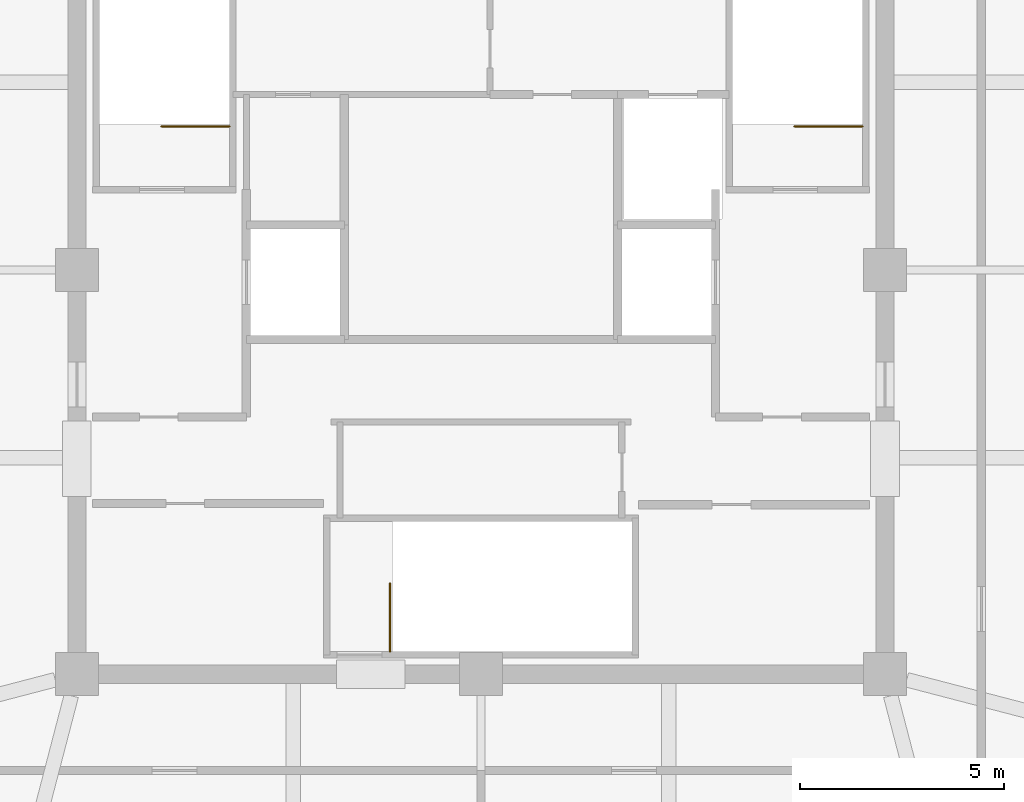
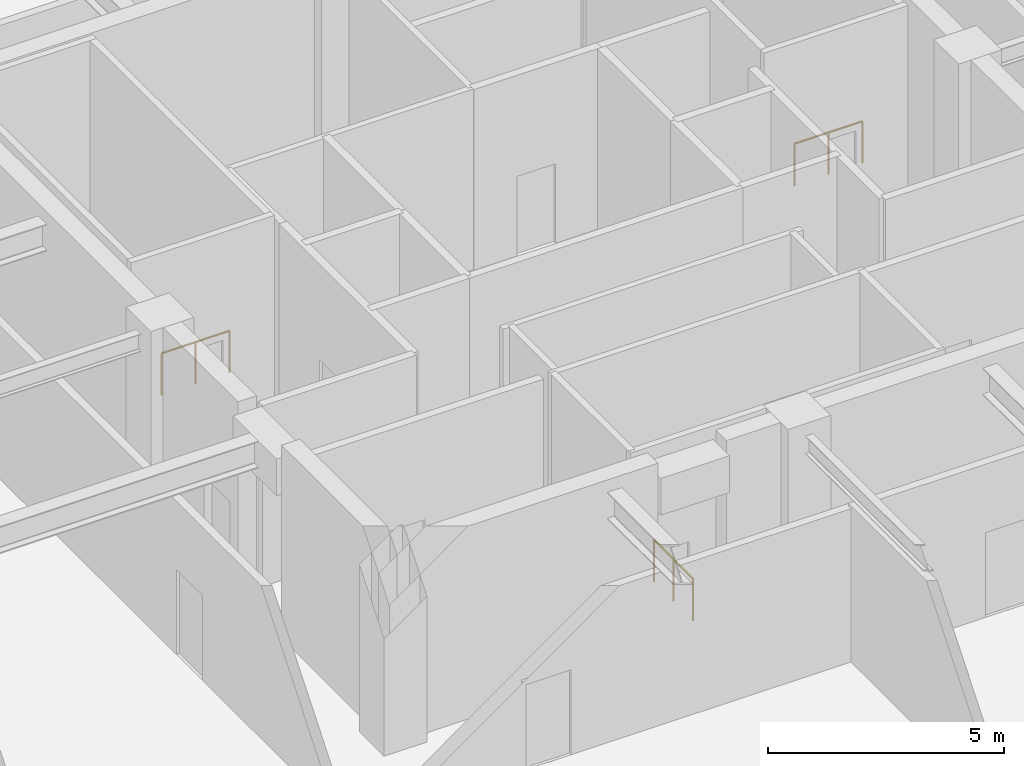
# One storey, part 4 of 4: 3 railings.
"""IFC4 building model written with IfcOpenShell, lengths in metres."""

import ifcopenshell
import ifcopenshell.guid

model = None  # the IFC model being written
_history = None  # IfcOwnerHistory: only IFC2X3 demands one
_inside = {}  # id of a spatial element -> (the spatial element, [elements in it])
_under = {}  # id of a project, library or spatial element -> (it, [spatial elements below it])
_declared = {}  # id of a project -> (the project, [libraries it declares])
_typed = {}  # id of a type object -> (the type object, [elements of that type])
_made_of = {}  # id of a material, layer set ... -> (it, [elements and type objects made of it])


def new_model(schema):
    """Start an empty IFC model of exactly this schema.

    Asked for "IFC4X3", IfcOpenShell would pick the latest addendum, in which some entities
    have other attributes; the version numbers below select the first issue.
    IFC2X3 requires an IfcOwnerHistory on every rooted entity: one is made here for all.
    """
    global model, _history
    if schema == "IFC4X3":
        model = ifcopenshell.file(schema_version=(4, 3, 0, 0))
    else:
        model = ifcopenshell.file(schema=schema)
    _inside.clear()
    _under.clear()
    _declared.clear()
    _typed.clear()
    _made_of.clear()
    _history = None
    if model.schema == "IFC2X3":
        org = make("IfcOrganization", Name="unknown")
        user = make(
            "IfcPersonAndOrganization",
            ThePerson=make("IfcPerson", FamilyName="unknown"),
            TheOrganization=org,
        )
        app = make(
            "IfcApplication",
            ApplicationDeveloper=org,
            Version="unknown",
            ApplicationFullName="unknown",
            ApplicationIdentifier="unknown",
        )
        _history = make(
            "IfcOwnerHistory",
            OwningUser=user,
            OwningApplication=app,
            ChangeAction="ADDED",
            CreationDate=0,
        )
    return model


def make(cls, **values):
    """One entity of the class cls with the attributes given. An attribute that is None is left unset."""
    return model.create_entity(
        cls, **{name: value for name, value in values.items() if value is not None}
    )


def rooted(cls, **values):
    """An entity with a GlobalId (a new one), such as an element, a storey or a relation."""
    return make(cls, GlobalId=ifcopenshell.guid.new(), OwnerHistory=_history, **values)


def si_unit(unit_type, name, prefix=None):
    """IfcSIUnit, for example si_unit("LENGTHUNIT", "METRE", prefix="MILLI")."""
    return make("IfcSIUnit", UnitType=unit_type, Prefix=prefix, Name=name)


def assignment(units):
    """IfcUnitAssignment: the units of a project."""
    return None if units is None else make("IfcUnitAssignment", Units=units)


def point(xyz):
    """IfcCartesianPoint."""
    return None if xyz is None else make("IfcCartesianPoint", Coordinates=xyz)


def direction(xyz):
    """IfcDirection."""
    return None if xyz is None else make("IfcDirection", DirectionRatios=xyz)


def frame(location, z_axis=None, x_axis=None):
    """IfcAxis2Placement3D, a coordinate frame: its origin and axes. An axis left out is left unset."""
    return make(
        "IfcAxis2Placement3D",
        Location=point(location),
        Axis=direction(z_axis),
        RefDirection=direction(x_axis),
    )


def frame_2d(location, x_axis=None):
    """IfcAxis2Placement2D, a coordinate frame in the plane: its origin and x axis."""
    return make(
        "IfcAxis2Placement2D", Location=point(location), RefDirection=direction(x_axis)
    )


def origin():
    """The frame at (0, 0, 0) with its axes left unset."""
    return frame((0.0, 0.0, 0.0))


def origin_2d():
    """The frame at (0, 0) in the plane with its x axis left unset."""
    return frame_2d((0.0, 0.0))


def place(relative_to, where):
    """IfcLocalPlacement: puts the frame where relative to a parent placement (None: the world)."""
    return make(
        "IfcLocalPlacement", PlacementRelTo=relative_to, RelativePlacement=where
    )


def context(
    kind, dimensions, precision=None, world=None, true_north=None, identifier=None
):
    """IfcGeometricRepresentationContext, for example the 3D "Model" context."""
    return make(
        "IfcGeometricRepresentationContext",
        ContextIdentifier=identifier,
        ContextType=kind,
        CoordinateSpaceDimension=dimensions,
        Precision=precision,
        WorldCoordinateSystem=world,
        TrueNorth=true_north,
    )


def subcontext(parent, identifier, kind, view, scale=None):
    """IfcGeometricRepresentationSubContext, for example "Body" below "Model"."""
    return make(
        "IfcGeometricRepresentationSubContext",
        ContextIdentifier=identifier,
        ContextType=kind,
        ParentContext=parent,
        TargetScale=scale,
        TargetView=view,
    )


def project(units=None, contexts=None):
    """IfcProject with its units and contexts."""
    return rooted(
        "IfcProject",
        Name="project",
        RepresentationContexts=contexts,
        UnitsInContext=assignment(units),
    )


def spatial(cls, under=None, at=None, **own):
    """A site, building, storey or space (cls), placed at a placement, below another one or the project."""
    s = rooted(cls, ObjectPlacement=at, **own)
    if under is not None:
        _under.setdefault(under.id(), (under, []))[1].append(s)
    return s


def profile(cls, at=None, kind="AREA", **sizes):
    """A parametric profile (cls). Its sizes go by their IFC names, for example OverallWidth=200.0."""
    return make(cls, ProfileType=kind, Position=at, **sizes)


def circle(**sizes):
    """IfcCircleProfileDef."""
    return profile("IfcCircleProfileDef", **sizes)


def extrude(swept, where, along, depth):
    """IfcExtrudedAreaSolid: the profile swept, set in the frame where, extruded along a direction by depth."""
    return make(
        "IfcExtrudedAreaSolid",
        SweptArea=swept,
        Position=where,
        ExtrudedDirection=direction(along),
        Depth=depth,
    )


def shape(context_of_items, identifier, shape_type, items):
    """IfcShapeRepresentation: the items that make up one representation, for example the "Body"."""
    return make(
        "IfcShapeRepresentation",
        ContextOfItems=context_of_items,
        RepresentationIdentifier=identifier,
        RepresentationType=shape_type,
        Items=items,
    )


def material(Name=None, Category=None):
    """IfcMaterial."""
    return make("IfcMaterial", Name=Name, Category=Category)


def made_of(thing, what):
    """Note that an element or type object is made of a material, layer set ...; save() writes the relation."""
    if what is not None:
        _made_of.setdefault(what.id(), (what, []))[1].append(thing)
    return thing


def type_object(cls, material=None, **own):
    """A type object (cls), such as IfcWallType, which elements share."""
    return made_of(rooted(cls, **own), material)


def element(
    cls,
    number,
    at=None,
    inside=None,
    cuts=None,
    type_object=None,
    material=None,
    context=None,
    identifier="Body",
    shape_type=None,
    held_by="IfcProductDefinitionShape",
    body=None,
    shapes=None,
    **own,
):
    """One element of the class cls, such as IfcWall. Its Tag is "e" and its number.

    at: its placement. inside: the storey or other place that contains it. cuts: it is an
    opening in that element (IfcRelVoidsElement). A single representation is given by context,
    identifier, shape_type and body (its items); several are given by shapes. held_by: the class
    of the entity that holds the representations. save() writes the other relations.
    """
    e = rooted(cls, Tag="e%d" % number, ObjectPlacement=at, **own)
    if body is not None:
        shapes = [shape(context, identifier, shape_type, body)]
    if shapes is not None:
        e.Representation = make(held_by, Representations=shapes)
    if inside is not None:
        _inside.setdefault(inside.id(), (inside, []))[1].append(e)
    if cuts is not None:
        rooted(
            "IfcRelVoidsElement", RelatingBuildingElement=cuts, RelatedOpeningElement=e
        )
    if type_object is not None:
        _typed.setdefault(type_object.id(), (type_object, []))[1].append(e)
    return made_of(e, material)


def aggregate(whole, parts):
    """IfcRelAggregates: a whole, such as a stair, and the parts it consists of."""
    return rooted("IfcRelAggregates", RelatingObject=whole, RelatedObjects=parts)


def save(model, path):
    """Write the relations noted so far, then the file.

    IfcRelAggregates (storeys below a building ...), IfcRelContainedInSpatialStructure (elements
    in a storey), IfcRelDefinesByType, IfcRelAssociatesMaterial and IfcRelDeclares: one each for
    every whole, place, type object, material and project.
    """
    for whole, parts in _under.values():
        aggregate(whole, parts)
    for where, things in _inside.values():
        rooted(
            "IfcRelContainedInSpatialStructure",
            RelatedElements=things,
            RelatingStructure=where,
        )
    for kind, things in _typed.values():
        rooted("IfcRelDefinesByType", RelatedObjects=things, RelatingType=kind)
    for what, things in _made_of.values():
        rooted("IfcRelAssociatesMaterial", RelatedObjects=things, RelatingMaterial=what)
    for by, libraries in _declared.values():
        rooted("IfcRelDeclares", RelatingContext=by, RelatedDefinitions=libraries)
    model.write(path)


model = new_model("IFC4")

# Units and contexts
model_context = context("Model", 3, precision=1e-05, world=origin(), true_north=direction((0.0, 1.0)))
body_context = subcontext(model_context, "Body", "Model", "MODEL_VIEW")
ifc_project = project(units=[si_unit("LENGTHUNIT", "METRE"), si_unit("AREAUNIT", "SQUARE_METRE"), si_unit("VOLUMEUNIT", "CUBIC_METRE"), si_unit("PLANEANGLEUNIT", "RADIAN"), si_unit("MASSUNIT", "GRAM", prefix="KILO")], contexts=[model_context])

# Site, building, storey
site_placement = place(None, origin())
site = spatial("IfcSite", under=ifc_project, at=site_placement, CompositionType="ELEMENT")
building_placement = place(site_placement, origin())
building = spatial("IfcBuilding", under=site, at=building_placement, Name="Kolvaren Belvedere", CompositionType="ELEMENT")
storey_placement = place(building_placement, frame((0.0, 0.0, 282.39990234375)))
storey = spatial("IfcBuildingStorey", under=building, at=storey_placement, Name="L80", CompositionType="ELEMENT", Elevation=282.39990234375)

# Railings
ifc_material = material(Name="Painted tubular steel stair guard", Category="steel")
railing_type = type_object("IfcRailingType", Name="RL-STGUARD-1100", PredefinedType="GUARDRAIL", material=ifc_material)
for number, where, name in (
    (1, (-6.159912109375, 3.52001953125, 0.0), "L80 ST-1 top well guard 1"),
    (2, (9.35009765625, 3.52001953125, 0.0), "L80 ST-2 top well guard 1"),
):
    element("IfcRailing", number, at=place(storey_placement, frame(where)), inside=storey, type_object=railing_type, Name=name, PredefinedType="GUARDRAIL", context=body_context, shape_type="SweptSolid", body=[
        extrude(circle(Radius=0.02392578125, at=origin_2d()), frame((0.0, 0.0, 1.076171875), z_axis=(-1.0, 0.0, 0.0), x_axis=(0.0, -1.0, 0.0)), (0.0, 0.0, 1.0), 1.670166015625),
        extrude(circle(Radius=0.02099609375, at=origin_2d()), origin(), (0.0, 0.0, 1.0), 1.052001953125),
        extrude(circle(Radius=0.02099609375, at=origin_2d()), frame((-0.8349609375, 0.0, 0.0)), (0.0, 0.0, 1.0), 1.052001953125),
        extrude(circle(Radius=0.02099609375, at=origin_2d()), frame((-1.670166015625, 0.0, 0.0)), (0.0, 0.0, 1.0), 1.052001953125),
    ])
railing_placement = place(storey_placement, frame((-2.22998046875, -9.35009765625, 0.0)))
element("IfcRailing", 3, at=railing_placement, inside=storey, type_object=railing_type, Name="L80 ST-3 top well guard 1", PredefinedType="GUARDRAIL", context=body_context, shape_type="SweptSolid", body=[
    extrude(circle(Radius=0.02392578125, at=origin_2d()), frame((0.0, 0.0, 1.076171875), z_axis=(0.0, 1.0, 0.0), x_axis=(-1.0, 0.0, 0.0)), (0.0, 0.0, 1.0), 1.670166015625),
    extrude(circle(Radius=0.02099609375, at=origin_2d()), origin(), (0.0, 0.0, 1.0), 1.052001953125),
    extrude(circle(Radius=0.02099609375, at=origin_2d()), frame((0.0, 0.8349609375, 0.0)), (0.0, 0.0, 1.0), 1.052001953125),
    extrude(circle(Radius=0.02099609375, at=origin_2d()), frame((0.0, 1.670166015625, 0.0)), (0.0, 0.0, 1.0), 1.052001953125),
])

save(model, "model.ifc")
